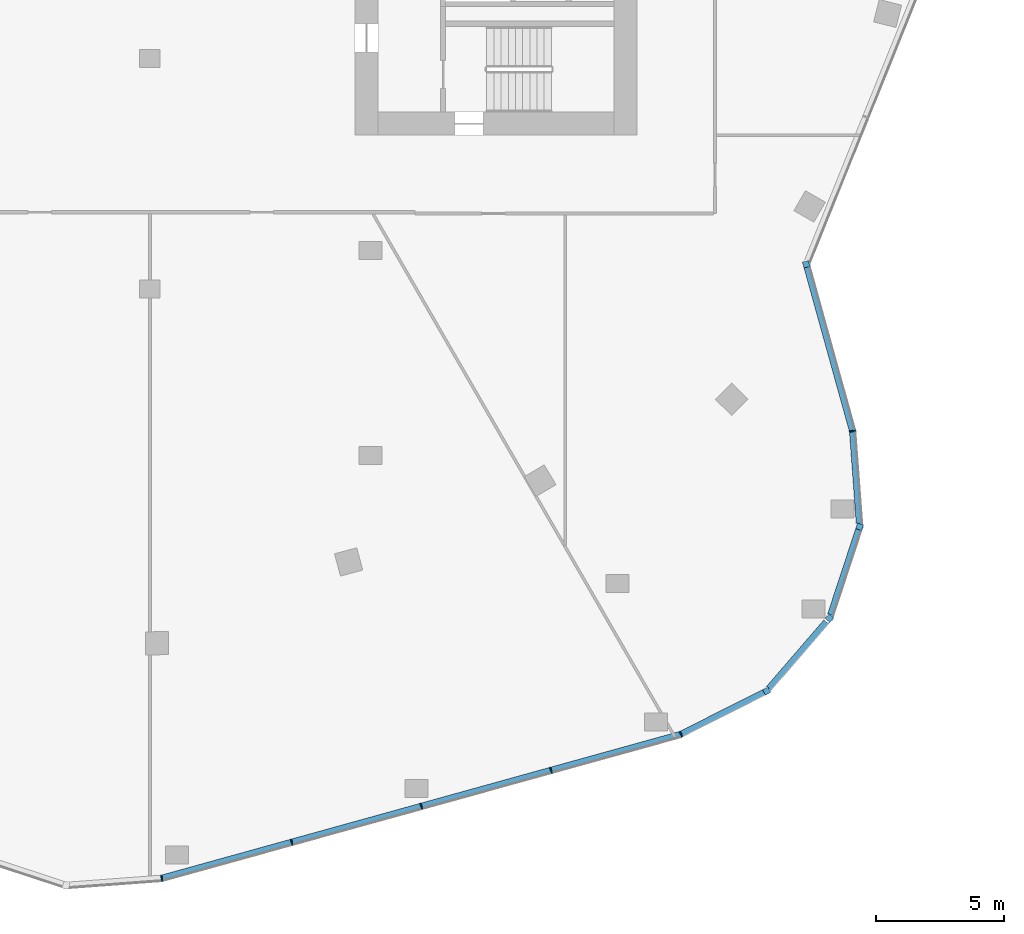
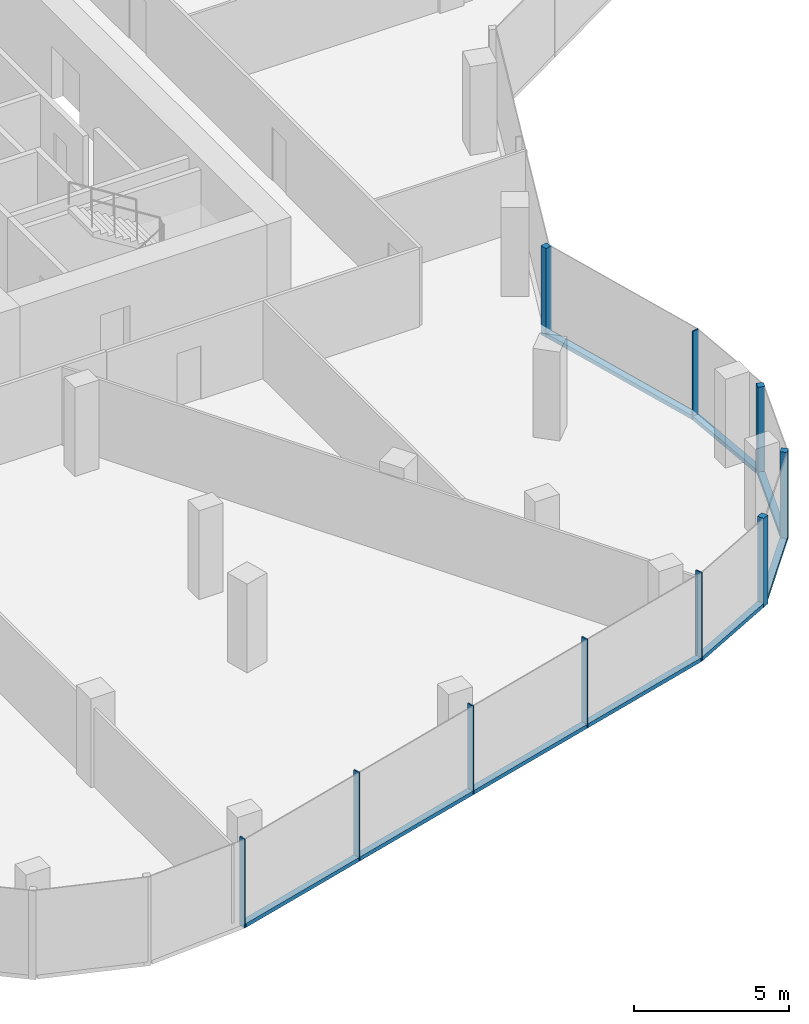
# One storey, part 4 of 16: 16 members, 7 elements without a shape of their own.
"""IFC4 building model written with IfcOpenShell, lengths in metres."""

from ifc_helpers import new_model, si_unit, direction, frame, origin, origin_2d, place, context, subcontext, project, spatial, rectangle, extrude, material, material_profile, profile_set, type_object, element, aggregate, save


model = new_model("IFC4")

# Units and contexts
model_context = context("Model", 3, precision=1e-05, world=origin(), true_north=direction((0.0, 1.0)))
body_context = subcontext(model_context, "Body", "Model", "MODEL_VIEW")
ifc_project = project(units=[si_unit("LENGTHUNIT", "METRE"), si_unit("AREAUNIT", "SQUARE_METRE"), si_unit("VOLUMEUNIT", "CUBIC_METRE"), si_unit("PLANEANGLEUNIT", "RADIAN"), si_unit("MASSUNIT", "GRAM", prefix="KILO")], contexts=[model_context])

# Site, building, storey
site_placement = place(None, origin())
site = spatial("IfcSite", under=ifc_project, at=site_placement, CompositionType="ELEMENT")
building_placement = place(site_placement, origin())
building = spatial("IfcBuilding", under=site, at=building_placement, Name="Orlundy Tower", CompositionType="ELEMENT")
storey_placement = place(building_placement, frame((0.0, 0.0, 285.89990234375)))
storey = spatial("IfcBuildingStorey", under=building, at=storey_placement, Name="L76", CompositionType="ELEMENT", Elevation=285.89990234375)

# Curtain wall, member
ifc_material_1 = material(Name="Aluminium bronze anodised", Category="aluminium")
curtain_wall_type = type_object("IfcCurtainWallType", Name="CW6 wall", PredefinedType="NOTDEFINED", material=ifc_material_1)
curtain_wall_1_placement = place(storey_placement, origin())
curtain_wall_1 = element("IfcCurtainWall", 1, at=curtain_wall_1_placement, inside=storey, type_object=curtain_wall_type, Name="CW6 run 02", PredefinedType="NOTDEFINED")
ifc_material_2 = material(Name="Aluminium bronze anodised", Category="aluminium")
ifc_material_profile_1 = material_profile(ifc_material_2, rectangle(XDim=0.239990234375, YDim=0.239990234375, at=origin_2d()), Name="CW6 corner post 240x240")
ifc_profile_set_1 = profile_set([ifc_material_profile_1], Name="Aluminium bronze anodised")
member_type_1 = type_object("IfcMemberType", Name="CW6 corner post 240x240", PredefinedType="MULLION", material=ifc_profile_set_1)
member_1_placement = place(storey_placement, frame((25.603515625, -17.0341796875, -0.39990234375), z_axis=(0.0, 0.0, 1.0), x_axis=(0.963625538767, 0.26725609635, 0.0)))
member_1 = element("IfcMember", 2, at=member_1_placement, type_object=member_type_1, Name="CW6 mullion 5", PredefinedType="MULLION", context=body_context, shape_type="SweptSolid", body=[
    extrude(rectangle(XDim=0.239990234375, YDim=0.239990234375, at=origin_2d()), origin(), (0.0, 0.0, 1.0), 3.5),
])

curtain_wall_2_placement = place(storey_placement, origin())
curtain_wall_2 = element("IfcCurtainWall", 3, at=curtain_wall_2_placement, inside=storey, type_object=curtain_wall_type, Name="CW6 run 04", PredefinedType="NOTDEFINED")
member_2_placement = place(storey_placement, frame((27.685546875, -27.27587890625, -0.39990234375), z_axis=(0.0, 0.0, 1.0), x_axis=(0.949757042161, -0.312988116173, 0.0)))
member_2 = element("IfcMember", 4, at=member_2_placement, type_object=member_type_1, Name="CW6 mullion 7", PredefinedType="MULLION", context=body_context, shape_type="SweptSolid", body=[
    extrude(rectangle(XDim=0.239990234375, YDim=0.239990234375, at=origin_2d()), origin(), (0.0, 0.0, 1.0), 3.5),
])

curtain_wall_3_placement = place(storey_placement, origin())
curtain_wall_3 = element("IfcCurtainWall", 5, at=curtain_wall_3_placement, inside=storey, type_object=curtain_wall_type, Name="CW6 run 05", PredefinedType="NOTDEFINED")
member_3_placement = place(storey_placement, frame((26.510498046875, -30.84130859375, -0.39990234375), z_axis=(0.0, 0.0, 1.0), x_axis=(0.757501961463, -0.652832887024, 0.0)))
member_3 = element("IfcMember", 6, at=member_3_placement, type_object=member_type_1, Name="CW6 mullion 8", PredefinedType="MULLION", context=body_context, shape_type="SweptSolid", body=[
    extrude(rectangle(XDim=0.239990234375, YDim=0.239990234375, at=origin_2d()), origin(), (0.0, 0.0, 1.0), 3.5),
])

curtain_wall_4_placement = place(storey_placement, origin())
curtain_wall_4 = element("IfcCurtainWall", 7, at=curtain_wall_4_placement, inside=storey, type_object=curtain_wall_type, Name="CW6 run 06", PredefinedType="NOTDEFINED")
member_4_placement = place(storey_placement, frame((24.059326171875, -33.685302734375, -0.39990234375), z_axis=(0.0, 0.0, 1.0), x_axis=(0.450017257968, -0.893019858419, 0.0)))
member_4 = element("IfcMember", 8, at=member_4_placement, type_object=member_type_1, Name="CW6 mullion 9", PredefinedType="MULLION", context=body_context, shape_type="SweptSolid", body=[
    extrude(rectangle(XDim=0.239990234375, YDim=0.239990234375, at=origin_2d()), origin(), (0.0, 0.0, 1.0), 3.5),
])

curtain_wall_5_placement = place(storey_placement, origin())
curtain_wall_5 = element("IfcCurtainWall", 9, at=curtain_wall_5_placement, inside=storey, type_object=curtain_wall_type, Name="CW6 run 03", PredefinedType="NOTDEFINED")
ifc_material_3 = material(Name="Aluminium bronze anodised", Category="aluminium")
ifc_material_profile_2 = material_profile(ifc_material_3, rectangle(XDim=0.239990234375, YDim=0.050048828125, at=origin_2d()), Name="CW6 mullion 50x240")
ifc_profile_set_2 = profile_set([ifc_material_profile_2], Name="Aluminium bronze anodised")
member_type_2 = type_object("IfcMemberType", Name="CW6 mullion 50x240", PredefinedType="MULLION", material=ifc_profile_set_2)
member_5_placement = place(storey_placement, frame((27.40869140625, -23.543212890625, -0.39990234375), z_axis=(0.0, 0.0, 1.0), x_axis=(0.985199614066, 0.171410969437, 0.0)))
member_5 = element("IfcMember", 10, at=member_5_placement, type_object=member_type_2, Name="CW6 mullion 6", PredefinedType="MULLION", context=body_context, shape_type="SweptSolid", body=[
    extrude(rectangle(XDim=0.239990234375, YDim=0.050048828125, at=origin_2d()), origin(), (0.0, 0.0, 1.0), 3.5),
])

# Curtain wall, members
curtain_wall_6_placement = place(storey_placement, origin())
curtain_wall_6 = element("IfcCurtainWall", 11, at=curtain_wall_6_placement, inside=storey, type_object=curtain_wall_type, Name="CW6 run 07", PredefinedType="NOTDEFINED")
member_6_placement = place(storey_placement, frame((20.717529296875, -35.369384765625, -0.39990234375), z_axis=(0.0, 0.0, 1.0), x_axis=(0.360362746117, -0.932812248639, 0.0)))
member_6 = element("IfcMember", 12, at=member_6_placement, type_object=member_type_2, Name="CW6 mullion 10", PredefinedType="MULLION", context=body_context, shape_type="SweptSolid", body=[
    extrude(rectangle(XDim=0.239990234375, YDim=0.050048828125, at=origin_2d()), origin(), (0.0, 0.0, 1.0), 3.5),
])
member_7_placement = place(storey_placement, frame((15.64697265625, -36.775634765625, -0.39990234375), z_axis=(0.0, 0.0, 1.0), x_axis=(0.267241052476, -0.963629710974, 0.0)))
member_7 = element("IfcMember", 13, at=member_7_placement, type_object=member_type_2, Name="CW6 mullion 11", PredefinedType="MULLION", context=body_context, shape_type="SweptSolid", body=[
    extrude(rectangle(XDim=0.239990234375, YDim=0.050048828125, at=origin_2d()), origin(), (0.0, 0.0, 1.0), 3.5),
])
member_8_placement = place(storey_placement, frame((10.588134765625, -38.1787109375, -0.39990234375), z_axis=(0.0, 0.0, 1.0), x_axis=(0.267241052476, -0.963629710974, 0.0)))
member_8 = element("IfcMember", 14, at=member_8_placement, type_object=member_type_2, Name="CW6 mullion 12", PredefinedType="MULLION", context=body_context, shape_type="SweptSolid", body=[
    extrude(rectangle(XDim=0.239990234375, YDim=0.050048828125, at=origin_2d()), origin(), (0.0, 0.0, 1.0), 3.5),
])
member_9_placement = place(storey_placement, frame((5.529052734375, -39.58154296875, -0.39990234375), z_axis=(0.0, 0.0, 1.0), x_axis=(0.267241052476, -0.963629710974, 0.0)))
member_9 = element("IfcMember", 15, at=member_9_placement, type_object=member_type_2, Name="CW6 mullion 13", PredefinedType="MULLION", context=body_context, shape_type="SweptSolid", body=[
    extrude(rectangle(XDim=0.239990234375, YDim=0.050048828125, at=origin_2d()), origin(), (0.0, 0.0, 1.0), 3.5),
])

# Curtain wall, member
curtain_wall_7_placement = place(storey_placement, origin())
curtain_wall_7 = element("IfcCurtainWall", 16, at=curtain_wall_7_placement, inside=storey, type_object=curtain_wall_type, Name="CW6 run 08", PredefinedType="NOTDEFINED")
member_10_placement = place(storey_placement, frame((0.458740234375, -40.98779296875, -0.39990234375), z_axis=(0.0, 0.0, 1.0), x_axis=(0.17153579032, -0.98517788883, 0.0)))
member_10 = element("IfcMember", 17, at=member_10_placement, type_object=member_type_2, Name="CW6 mullion 14", PredefinedType="MULLION", context=body_context, shape_type="SweptSolid", body=[
    extrude(rectangle(XDim=0.239990234375, YDim=0.050048828125, at=origin_2d()), origin(), (0.0, 0.0, 1.0), 3.5),
])
aggregate(curtain_wall_7, [member_10])

# Member
ifc_material_4 = material(Name="Aluminium bronze anodised", Category="aluminium")
ifc_material_profile_3 = material_profile(ifc_material_4, rectangle(XDim=0.239990234375, YDim=0.159912109375, at=origin_2d()), Name="CW6 transom 240x160")
ifc_profile_set_3 = profile_set([ifc_material_profile_3], Name="Aluminium bronze anodised")
member_type_3 = type_object("IfcMemberType", Name="CW6 transom 240x160", PredefinedType="USERDEFINED", material=ifc_profile_set_3)
member_11_placement = place(storey_placement, frame((25.635498046875, -17.14990234375, -0.31982421875), z_axis=(0.267278070295, -0.963619444148, 0.0), x_axis=(0.963619444148, 0.267278070295, 0.0)))
member_11 = element("IfcMember", 18, at=member_11_placement, type_object=member_type_3, Name="CW6 transom", ObjectType="TRANSOM", PredefinedType="USERDEFINED", context=body_context, shape_type="SweptSolid", body=[
    extrude(rectangle(XDim=0.239990234375, YDim=0.159912109375, at=origin_2d()), origin(), (0.0, 0.0, 1.0), 6.609619140625),
])

aggregate(curtain_wall_1, [member_1, member_11])

member_12_placement = place(storey_placement, frame((27.41064453125, -23.568359375, -0.31982421875), z_axis=(0.073896749776, -0.997265897528, 0.0), x_axis=(0.997265897528, 0.073896749776, 0.0)))
member_12 = element("IfcMember", 19, at=member_12_placement, type_object=member_type_3, Name="CW6 transom", ObjectType="TRANSOM", PredefinedType="USERDEFINED", context=body_context, shape_type="SweptSolid", body=[
    extrude(rectangle(XDim=0.239990234375, YDim=0.159912109375, at=origin_2d()), origin(), (0.0, 0.0, 1.0), 3.587890625),
])

aggregate(curtain_wall_5, [member_5, member_12])

member_13_placement = place(storey_placement, frame((27.64794921875, -27.389892578125, -0.31982421875), z_axis=(-0.312985973529, -0.949757748257, 0.0), x_axis=(0.949757748257, -0.312985973529, 0.0)))
member_13 = element("IfcMember", 20, at=member_13_placement, type_object=member_type_3, Name="CW6 transom", ObjectType="TRANSOM", PredefinedType="USERDEFINED", context=body_context, shape_type="SweptSolid", body=[
    extrude(rectangle(XDim=0.239990234375, YDim=0.159912109375, at=origin_2d()), origin(), (0.0, 0.0, 1.0), 3.50390625),
])

aggregate(curtain_wall_2, [member_2, member_13])

member_14_placement = place(storey_placement, frame((26.38671875, -30.985107421875, -0.31982421875), z_axis=(-0.65289603536, -0.757447534164, 0.0), x_axis=(0.757447534164, -0.65289603536, 0.0)))
member_14 = element("IfcMember", 21, at=member_14_placement, type_object=member_type_3, Name="CW6 transom", ObjectType="TRANSOM", PredefinedType="USERDEFINED", context=body_context, shape_type="SweptSolid", body=[
    extrude(rectangle(XDim=0.239990234375, YDim=0.159912109375, at=origin_2d()), origin(), (0.0, 0.0, 1.0), 3.43505859375),
])

aggregate(curtain_wall_3, [member_3, member_14])

member_15_placement = place(storey_placement, frame((23.9521484375, -33.739501953125, -0.31982421875), z_axis=(-0.893024605068, -0.450007838535, 0.0), x_axis=(0.450007838535, -0.893024605068, 0.0)))
member_15 = element("IfcMember", 22, at=member_15_placement, type_object=member_type_3, Name="CW6 transom", ObjectType="TRANSOM", PredefinedType="USERDEFINED", context=body_context, shape_type="SweptSolid", body=[
    extrude(rectangle(XDim=0.239990234375, YDim=0.159912109375, at=origin_2d()), origin(), (0.0, 0.0, 1.0), 3.596923828125),
])

aggregate(curtain_wall_4, [member_4, member_15])

member_16_placement = place(storey_placement, frame((20.693359375, -35.376220703125, -0.31982421875), z_axis=(-0.963628895624, -0.267243992483, 0.0), x_axis=(0.267243992483, -0.963628895624, 0.0)))
member_16 = element("IfcMember", 23, at=member_16_placement, type_object=member_type_3, Name="CW6 transom", ObjectType="TRANSOM", PredefinedType="USERDEFINED", context=body_context, shape_type="SweptSolid", body=[
    extrude(rectangle(XDim=0.239990234375, YDim=0.159912109375, at=origin_2d()), origin(), (0.0, 0.0, 1.0), 20.973388671875),
])

aggregate(curtain_wall_6, [member_6, member_7, member_8, member_9, member_16])

save(model, "model.ifc")
